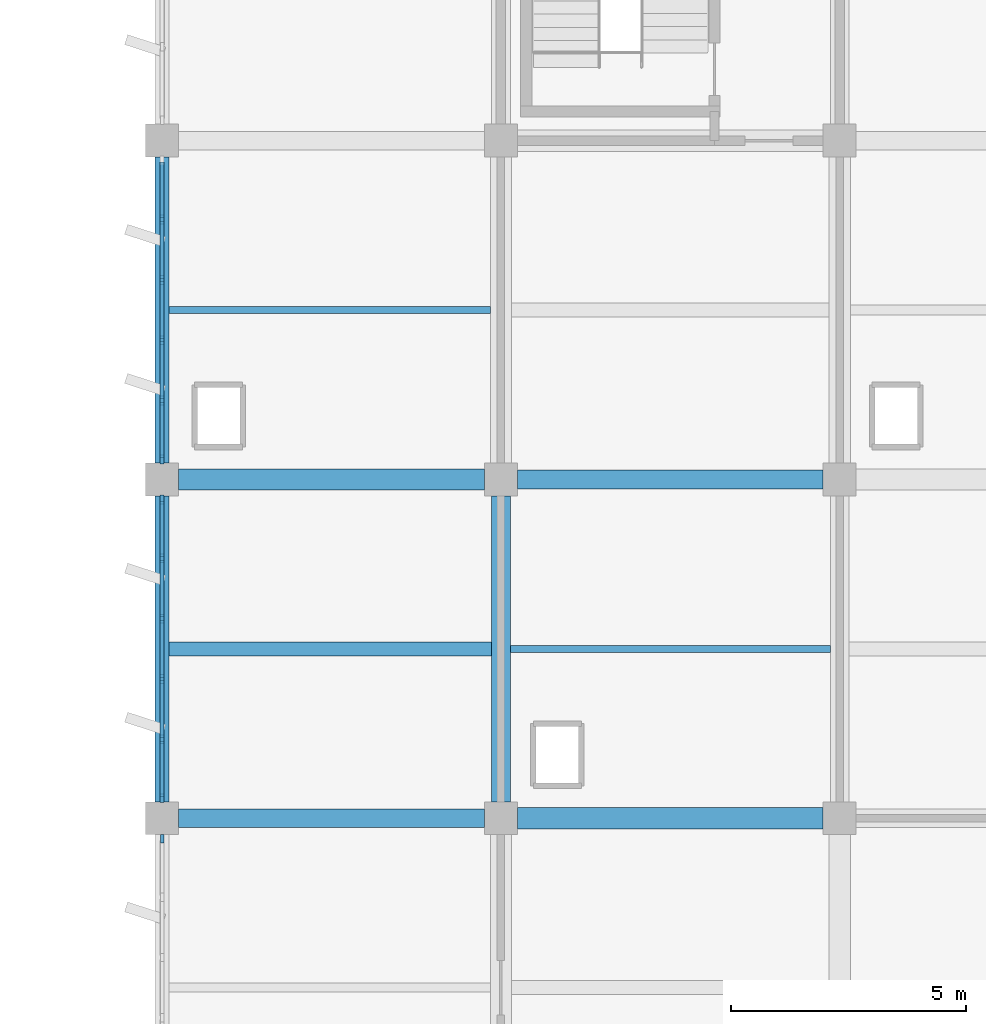
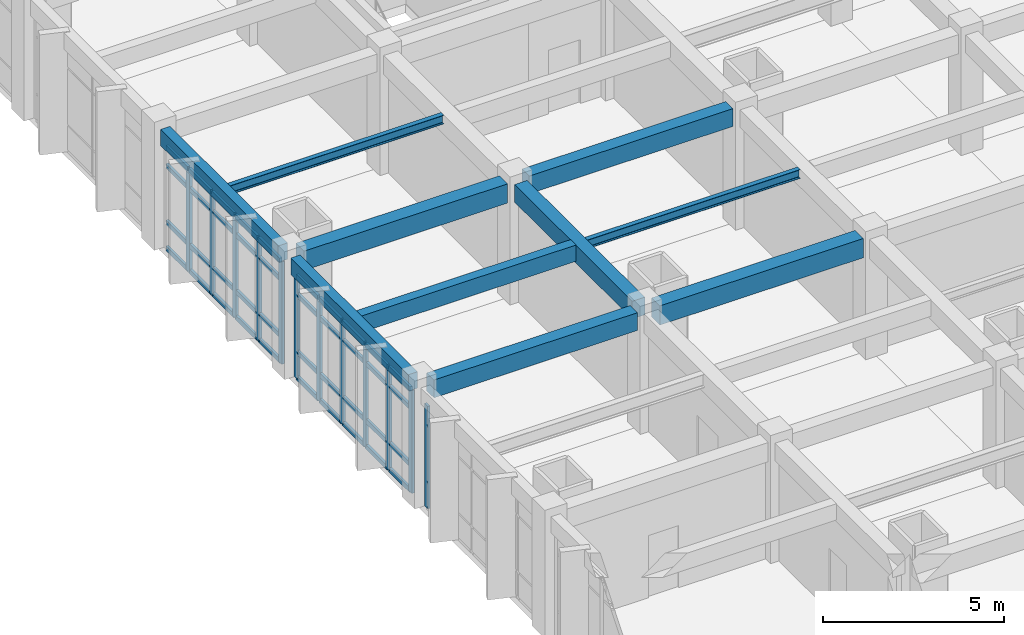
# One storey, part 17 of 70: 54 members, 8 beams, 3 elements without a shape of their own.
"""IFC4 building model written with IfcOpenShell, lengths in metres."""

from ifc_helpers import new_model, si_unit, direction, frame, origin, origin_2d, place, context, subcontext, project, spatial, rectangle, i_section, extrude, material, layer, layer_set, material_profile, profile_set, type_object, element, aggregate, save


model = new_model("IFC4")

# Units and contexts
model_context = context("Model", 3, precision=1e-05, world=origin(), true_north=direction((0.0, 1.0)))
body_context = subcontext(model_context, "Body", "Model", "MODEL_VIEW")
ifc_project = project(units=[si_unit("LENGTHUNIT", "METRE"), si_unit("AREAUNIT", "SQUARE_METRE"), si_unit("VOLUMEUNIT", "CUBIC_METRE"), si_unit("PLANEANGLEUNIT", "RADIAN"), si_unit("MASSUNIT", "GRAM", prefix="KILO")], contexts=[model_context])

# Site, building, storey
site_placement = place(None, origin())
site = spatial("IfcSite", under=ifc_project, at=site_placement, CompositionType="ELEMENT")
building_placement = place(site_placement, origin())
building = spatial("IfcBuilding", under=site, at=building_placement, Name="Kavelor Marine Aquarium", CompositionType="ELEMENT")
storey_placement = place(building_placement, frame((0.0, 0.0, 9.179931640625)))
storey = spatial("IfcBuildingStorey", under=building, at=storey_placement, Name="L02", CompositionType="ELEMENT", Elevation=9.179931640625)

# Beams
ifc_material_1 = material(Name="Concrete C40/50", Category="concrete")
ifc_material_profile_1 = material_profile(ifc_material_1, rectangle(XDim=0.449951171875, YDim=0.64990234375, at=origin_2d()), Name="RC-BM 450x650")
ifc_profile_set_1 = profile_set([ifc_material_profile_1], Name="Concrete C40/50")
beam_type_1 = type_object("IfcBeamType", Name="BM-B3", PredefinedType="BEAM", material=ifc_profile_set_1)
for number, where, z_axis, x_axis, name in (
    (1, (118.75, 89.199951171875, 3.695068359375), (1.0, 0.0, 0.0), (0.0, 1.0, 0.0), "bm:x:L02:L03:16_12"),
    (2, (125.949951171875, 82.0, 3.695068359375), (1.0, 0.0, 0.0), (0.0, 1.0, 0.0), "bm:x:L02:L03:17_11"),
):
    element("IfcBeam", number, at=place(storey_placement, frame(where, z_axis=z_axis, x_axis=x_axis)), inside=storey, type_object=beam_type_1, Name=name, PredefinedType="BEAM", context=body_context, shape_type="SweptSolid", body=[
        extrude(rectangle(XDim=0.449951171875, YDim=0.64990234375, at=origin_2d()), origin(), (0.0, 0.0, 1.0), 6.5),
    ])
ifc_material_2 = material(Name="Concrete C40/50", Category="concrete")
ifc_material_profile_2 = material_profile(ifc_material_2, rectangle(XDim=0.39990234375, YDim=0.60009765625, at=origin_2d()), Name="RC-BM 400x600")
ifc_profile_set_2 = profile_set([ifc_material_profile_2], Name="Concrete C40/50")
beam_type_2 = type_object("IfcBeamType", Name="BM-B4", PredefinedType="BEAM", material=ifc_profile_set_2)
for number, where, z_axis, x_axis, name in (
    (3, (118.75, 82.0, 3.719970703125), (1.0, 0.0, 0.0), (0.0, 1.0, 0.0), "bm:x:L02:L03:16_11"),
    (4, (125.949951171875, 89.199951171875, 3.719970703125), (1.0, 0.0, 0.0), (0.0, 1.0, 0.0), "bm:x:L02:L03:17_12"),
    (5, (125.60009765625, 82.35009765625, 3.719970703125), (0.0, 1.0, 0.0), (-1.0, 0.0, 0.0), "bm:y:L02:L03:17_11"),
):
    element("IfcBeam", number, at=place(storey_placement, frame(where, z_axis=z_axis, x_axis=x_axis)), inside=storey, type_object=beam_type_2, Name=name, PredefinedType="BEAM", context=body_context, shape_type="SweptSolid", body=[
        extrude(rectangle(XDim=0.39990234375, YDim=0.60009765625, at=origin_2d()), origin(), (0.0, 0.0, 1.0), 6.5),
    ])
ifc_material_3 = material(Name="Concrete C40/50", Category="concrete")
ifc_material_profile_3 = material_profile(ifc_material_3, rectangle(XDim=0.300048828125, YDim=0.550048828125, at=origin_2d()), Name="RC-JS 300x550")
ifc_profile_set_3 = profile_set([ifc_material_profile_3], Name="Concrete C40/50")
beam_type_3 = type_object("IfcBeamType", Name="BM-JS2", PredefinedType="JOIST", material=ifc_profile_set_3)
beam_placement = place(storey_placement, frame((118.550048828125, 85.60009765625, 3.76513671875), z_axis=(1.0, 0.0, 0.0), x_axis=(0.0, 1.0, 0.0)))
element("IfcBeam", 6, at=beam_placement, inside=storey, type_object=beam_type_3, Name="js:L02:L03:16_11", PredefinedType="JOIST", context=body_context, shape_type="SweptSolid", body=[
    extrude(rectangle(XDim=0.300048828125, YDim=0.550048828125, at=origin_2d()), origin(), (0.0, 0.0, 1.0), 6.849853515625),
])
ifc_material_4 = material(Name="Concrete C40/50", Category="concrete")
ifc_material_profile_4 = material_profile(ifc_material_4, rectangle(XDim=0.300048828125, YDim=0.550048828125, at=origin_2d()), Name="RC-SP 300x550")
ifc_profile_set_4 = profile_set([ifc_material_profile_4], Name="Concrete C40/50")
beam_type_4 = type_object("IfcBeamType", Name="BM-SP2", PredefinedType="SPANDREL", material=ifc_profile_set_4)
for number, where, z_axis, x_axis, name in (
    (7, (118.39990234375, 82.35009765625, 3.76513671875), (0.0, 1.0, 0.0), (-1.0, 0.0, 0.0), "bm:y:L02:L03:16_11"),
    (8, (118.39990234375, 89.550048828125, 3.7451171875), (0.0, 1.0, 0.0), (-1.0, 0.0, 0.0), "bm:y:L02:L03:16_12"),
):
    element("IfcBeam", number, at=place(storey_placement, frame(where, z_axis=z_axis, x_axis=x_axis)), inside=storey, type_object=beam_type_4, Name=name, PredefinedType="SPANDREL", context=body_context, shape_type="SweptSolid", body=[
        extrude(rectangle(XDim=0.300048828125, YDim=0.550048828125, at=origin_2d()), origin(), (0.0, 0.0, 1.0), 6.5),
    ])

# Curtain wall, member
ifc_material_5 = material(Name="Thermally Broken Aluminium and Low-E Glass", Category="aluminium")
ifc_layer_1 = layer(ifc_material_5, 0.196044921875)
ifc_layer_set_1 = layer_set([ifc_layer_1], Name="CW-SYS7")
curtain_wall_type_1 = type_object("IfcCurtainWallType", Name="CW-SYS7", PredefinedType="USERDEFINED", material=ifc_layer_set_1)
curtain_wall_1_placement = place(storey_placement, origin())
curtain_wall_1 = element("IfcCurtainWall", 9, at=curtain_wall_1_placement, inside=storey, type_object=curtain_wall_type_1, Name="cw:y:L02:16_10", ObjectType="Curtain Wall", PredefinedType="USERDEFINED")
ifc_material_6 = material(Name="Anodised Aluminium Alloy 6063-T6", Category="aluminium")
ifc_material_profile_5 = material_profile(ifc_material_6, rectangle(XDim=0.074951171875, YDim=0.179931640625, at=origin_2d()), Name="CW-MUL 75x180")
ifc_profile_set_5 = profile_set([ifc_material_profile_5], Name="Anodised Aluminium Alloy 6063-T6")
member_type_1 = type_object("IfcMemberType", Name="CWM-1", PredefinedType="MULLION", material=ifc_profile_set_5)
member_1_placement = place(storey_placement, frame((118.39990234375, 81.5673828125, 0.0), z_axis=(0.0, 0.0, 1.0), x_axis=(1.0, 0.0, 0.0)))
member_1 = element("IfcMember", 10, at=member_1_placement, type_object=member_type_1, Name="CW07 mullion 1", PredefinedType="MULLION", context=body_context, shape_type="SweptSolid", body=[
    extrude(rectangle(XDim=0.074951171875, YDim=0.179931640625, at=origin_2d()), origin(), (0.0, 0.0, 1.0), 3.4599609375),
])
aggregate(curtain_wall_1, [member_1])

# Curtain wall, members
ifc_material_7 = material(Name="Thermally Broken Aluminium and Low-E Glass", Category="aluminium")
ifc_layer_2 = layer(ifc_material_7, 0.2041015625)
ifc_layer_set_2 = layer_set([ifc_layer_2], Name="CW-SYS8")
curtain_wall_type_2 = type_object("IfcCurtainWallType", Name="CW-SYS8", PredefinedType="USERDEFINED", material=ifc_layer_set_2)
curtain_wall_2_placement = place(storey_placement, origin())
curtain_wall_2 = element("IfcCurtainWall", 11, at=curtain_wall_2_placement, inside=storey, type_object=curtain_wall_type_2, Name="cw:y:L02:16_11", ObjectType="Curtain Wall", PredefinedType="USERDEFINED")
ifc_material_8 = material(Name="Anodised Aluminium Alloy 6063-T6", Category="aluminium")
ifc_material_profile_6 = material_profile(ifc_material_8, rectangle(XDim=0.080078125, YDim=0.18505859375, at=origin_2d()), Name="CW-MUL 80x185")
ifc_profile_set_6 = profile_set([ifc_material_profile_6], Name="Anodised Aluminium Alloy 6063-T6")
member_type_2 = type_object("IfcMemberType", Name="CWM-2", PredefinedType="MULLION", material=ifc_profile_set_6)
member_2_placement = place(storey_placement, frame((118.39990234375, 88.7724609375, 0.0), z_axis=(0.0, 0.0, 1.0), x_axis=(1.0, 0.0, 0.0)))
member_2 = element("IfcMember", 12, at=member_2_placement, type_object=member_type_2, Name="CW08 mullion 1", PredefinedType="MULLION", context=body_context, shape_type="SweptSolid", body=[
    extrude(rectangle(XDim=0.080078125, YDim=0.18505859375, at=origin_2d()), origin(), (0.0, 0.0, 1.0), 3.47998046875),
])
member_3_placement = place(storey_placement, frame((118.39990234375, 87.52294921875, 0.0), z_axis=(0.0, 0.0, 1.0), x_axis=(1.0, 0.0, 0.0)))
member_3 = element("IfcMember", 13, at=member_3_placement, type_object=member_type_2, Name="CW08 mullion 2", PredefinedType="MULLION", context=body_context, shape_type="SweptSolid", body=[
    extrude(rectangle(XDim=0.080078125, YDim=0.18505859375, at=origin_2d()), origin(), (0.0, 0.0, 1.0), 3.47998046875),
])
member_4_placement = place(storey_placement, frame((118.39990234375, 86.240966796875, 0.0), z_axis=(0.0, 0.0, 1.0), x_axis=(1.0, 0.0, 0.0)))
member_4 = element("IfcMember", 14, at=member_4_placement, type_object=member_type_2, Name="CW08 mullion 3", PredefinedType="MULLION", context=body_context, shape_type="SweptSolid", body=[
    extrude(rectangle(XDim=0.080078125, YDim=0.18505859375, at=origin_2d()), origin(), (0.0, 0.0, 1.0), 3.47998046875),
])
member_5_placement = place(storey_placement, frame((118.39990234375, 84.958984375, 0.0), z_axis=(0.0, 0.0, 1.0), x_axis=(1.0, 0.0, 0.0)))
member_5 = element("IfcMember", 15, at=member_5_placement, type_object=member_type_2, Name="CW08 mullion 4", PredefinedType="MULLION", context=body_context, shape_type="SweptSolid", body=[
    extrude(rectangle(XDim=0.080078125, YDim=0.18505859375, at=origin_2d()), origin(), (0.0, 0.0, 1.0), 3.47998046875),
])
member_6_placement = place(storey_placement, frame((118.39990234375, 83.677001953125, 0.0), z_axis=(0.0, 0.0, 1.0), x_axis=(1.0, 0.0, 0.0)))
member_6 = element("IfcMember", 16, at=member_6_placement, type_object=member_type_2, Name="CW08 mullion 5", PredefinedType="MULLION", context=body_context, shape_type="SweptSolid", body=[
    extrude(rectangle(XDim=0.080078125, YDim=0.18505859375, at=origin_2d()), origin(), (0.0, 0.0, 1.0), 3.47998046875),
])
member_7_placement = place(storey_placement, frame((118.39990234375, 82.427490234375, 0.0), z_axis=(0.0, 0.0, 1.0), x_axis=(1.0, 0.0, 0.0)))
member_7 = element("IfcMember", 17, at=member_7_placement, type_object=member_type_2, Name="CW08 mullion 6", PredefinedType="MULLION", context=body_context, shape_type="SweptSolid", body=[
    extrude(rectangle(XDim=0.080078125, YDim=0.18505859375, at=origin_2d()), origin(), (0.0, 0.0, 1.0), 3.47998046875),
])

ifc_material_9 = material(Name="Thermally Broken Aluminium and Low-E Glass", Category="aluminium")
ifc_layer_3 = layer(ifc_material_9, 0.2119140625)
ifc_layer_set_3 = layer_set([ifc_layer_3], Name="CW-SYS9")
curtain_wall_type_3 = type_object("IfcCurtainWallType", Name="CW-SYS9", PredefinedType="USERDEFINED", material=ifc_layer_set_3)
curtain_wall_3_placement = place(storey_placement, origin())
curtain_wall_3 = element("IfcCurtainWall", 18, at=curtain_wall_3_placement, inside=storey, type_object=curtain_wall_type_3, Name="cw:y:L02:16_12", ObjectType="Curtain Wall", PredefinedType="USERDEFINED")
ifc_material_10 = material(Name="Anodised Aluminium Alloy 6063-T6", Category="aluminium")
ifc_material_profile_7 = material_profile(ifc_material_10, rectangle(XDim=0.0849609375, YDim=0.18994140625, at=origin_2d()), Name="CW-MUL 85x190")
ifc_profile_set_7 = profile_set([ifc_material_profile_7], Name="Anodised Aluminium Alloy 6063-T6")
member_type_3 = type_object("IfcMemberType", Name="CWM-3", PredefinedType="MULLION", material=ifc_profile_set_7)
member_8_placement = place(storey_placement, frame((118.39990234375, 94.722900390625, 0.0), z_axis=(0.0, 0.0, 1.0), x_axis=(1.0, 0.0, 0.0)))
member_8 = element("IfcMember", 19, at=member_8_placement, type_object=member_type_3, Name="CW09 mullion 2", PredefinedType="MULLION", context=body_context, shape_type="SweptSolid", body=[
    extrude(rectangle(XDim=0.0849609375, YDim=0.18994140625, at=origin_2d()), origin(), (0.0, 0.0, 1.0), 3.4599609375),
])
member_9_placement = place(storey_placement, frame((118.39990234375, 93.44091796875, 0.0), z_axis=(0.0, 0.0, 1.0), x_axis=(1.0, 0.0, 0.0)))
member_9 = element("IfcMember", 20, at=member_9_placement, type_object=member_type_3, Name="CW09 mullion 3", PredefinedType="MULLION", context=body_context, shape_type="SweptSolid", body=[
    extrude(rectangle(XDim=0.0849609375, YDim=0.18994140625, at=origin_2d()), origin(), (0.0, 0.0, 1.0), 3.4599609375),
])
member_10_placement = place(storey_placement, frame((118.39990234375, 92.158935546875, 0.0), z_axis=(0.0, 0.0, 1.0), x_axis=(1.0, 0.0, 0.0)))
member_10 = element("IfcMember", 21, at=member_10_placement, type_object=member_type_3, Name="CW09 mullion 4", PredefinedType="MULLION", context=body_context, shape_type="SweptSolid", body=[
    extrude(rectangle(XDim=0.0849609375, YDim=0.18994140625, at=origin_2d()), origin(), (0.0, 0.0, 1.0), 3.4599609375),
])
member_11_placement = place(storey_placement, frame((118.39990234375, 90.876953125, 0.0), z_axis=(0.0, 0.0, 1.0), x_axis=(1.0, 0.0, 0.0)))
member_11 = element("IfcMember", 22, at=member_11_placement, type_object=member_type_3, Name="CW09 mullion 5", PredefinedType="MULLION", context=body_context, shape_type="SweptSolid", body=[
    extrude(rectangle(XDim=0.0849609375, YDim=0.18994140625, at=origin_2d()), origin(), (0.0, 0.0, 1.0), 3.4599609375),
])
member_12_placement = place(storey_placement, frame((118.39990234375, 89.625, 0.0), z_axis=(0.0, 0.0, 1.0), x_axis=(1.0, 0.0, 0.0)))
member_12 = element("IfcMember", 23, at=member_12_placement, type_object=member_type_3, Name="CW09 mullion 6", PredefinedType="MULLION", context=body_context, shape_type="SweptSolid", body=[
    extrude(rectangle(XDim=0.0849609375, YDim=0.18994140625, at=origin_2d()), origin(), (0.0, 0.0, 1.0), 3.4599609375),
])

# Member
ifc_material_11 = material(Name="Anodised Aluminium Alloy 6063-T6", Category="aluminium")
ifc_material_profile_8 = material_profile(ifc_material_11, rectangle(XDim=0.080078125, YDim=0.155029296875, at=origin_2d()), Name="CW-TRN 80x155")
ifc_profile_set_8 = profile_set([ifc_material_profile_8], Name="Anodised Aluminium Alloy 6063-T6")
member_type_4 = type_object("IfcMemberType", Name="CWT-2", PredefinedType="USERDEFINED", material=ifc_profile_set_8)
member_13_placement = place(storey_placement, frame((118.39990234375, 88.739990234375, 0.032470703125), z_axis=(0.0, -1.0, 0.0), x_axis=(1.0, 0.0, 0.0)))
member_13 = element("IfcMember", 24, at=member_13_placement, type_object=member_type_4, Name="CW08 transom 1.1", ObjectType="TRANSOM", PredefinedType="USERDEFINED", context=body_context, shape_type="SweptSolid", body=[
    extrude(rectangle(XDim=0.080078125, YDim=0.155029296875, at=origin_2d()), origin(), (0.0, 0.0, 1.0), 1.1845703125),
])

member_14_placement = place(storey_placement, frame((118.39990234375, 88.739990234375, 0.900146484375), z_axis=(0.0, -1.0, 0.0), x_axis=(1.0, 0.0, 0.0)))
member_14 = element("IfcMember", 25, at=member_14_placement, type_object=member_type_4, Name="CW08 transom 1.2", ObjectType="TRANSOM", PredefinedType="USERDEFINED", context=body_context, shape_type="SweptSolid", body=[
    extrude(rectangle(XDim=0.080078125, YDim=0.155029296875, at=origin_2d()), origin(), (0.0, 0.0, 1.0), 1.1845703125),
])

member_15_placement = place(storey_placement, frame((118.39990234375, 88.739990234375, 2.830078125), z_axis=(0.0, -1.0, 0.0), x_axis=(1.0, 0.0, 0.0)))
member_15 = element("IfcMember", 26, at=member_15_placement, type_object=member_type_4, Name="CW08 transom 1.3", ObjectType="TRANSOM", PredefinedType="USERDEFINED", context=body_context, shape_type="SweptSolid", body=[
    extrude(rectangle(XDim=0.080078125, YDim=0.155029296875, at=origin_2d()), origin(), (0.0, 0.0, 1.0), 1.1845703125),
])

member_16_placement = place(storey_placement, frame((118.39990234375, 88.739990234375, 3.447509765625), z_axis=(0.0, -1.0, 0.0), x_axis=(1.0, 0.0, 0.0)))
member_16 = element("IfcMember", 27, at=member_16_placement, type_object=member_type_4, Name="CW08 transom 1.4", ObjectType="TRANSOM", PredefinedType="USERDEFINED", context=body_context, shape_type="SweptSolid", body=[
    extrude(rectangle(XDim=0.080078125, YDim=0.155029296875, at=origin_2d()), origin(), (0.0, 0.0, 1.0), 1.1845703125),
])

member_17_placement = place(storey_placement, frame((118.39990234375, 87.490478515625, 0.032470703125), z_axis=(0.0, -1.0, 0.0), x_axis=(1.0, 0.0, 0.0)))
member_17 = element("IfcMember", 28, at=member_17_placement, type_object=member_type_4, Name="CW08 transom 2.1", ObjectType="TRANSOM", PredefinedType="USERDEFINED", context=body_context, shape_type="SweptSolid", body=[
    extrude(rectangle(XDim=0.080078125, YDim=0.155029296875, at=origin_2d()), origin(), (0.0, 0.0, 1.0), 1.217041015625),
])

member_18_placement = place(storey_placement, frame((118.39990234375, 87.490478515625, 0.900146484375), z_axis=(0.0, -1.0, 0.0), x_axis=(1.0, 0.0, 0.0)))
member_18 = element("IfcMember", 29, at=member_18_placement, type_object=member_type_4, Name="CW08 transom 2.2", ObjectType="TRANSOM", PredefinedType="USERDEFINED", context=body_context, shape_type="SweptSolid", body=[
    extrude(rectangle(XDim=0.080078125, YDim=0.155029296875, at=origin_2d()), origin(), (0.0, 0.0, 1.0), 1.217041015625),
])

member_19_placement = place(storey_placement, frame((118.39990234375, 87.490478515625, 2.830078125), z_axis=(0.0, -1.0, 0.0), x_axis=(1.0, 0.0, 0.0)))
member_19 = element("IfcMember", 30, at=member_19_placement, type_object=member_type_4, Name="CW08 transom 2.3", ObjectType="TRANSOM", PredefinedType="USERDEFINED", context=body_context, shape_type="SweptSolid", body=[
    extrude(rectangle(XDim=0.080078125, YDim=0.155029296875, at=origin_2d()), origin(), (0.0, 0.0, 1.0), 1.217041015625),
])

member_20_placement = place(storey_placement, frame((118.39990234375, 87.490478515625, 3.447509765625), z_axis=(0.0, -1.0, 0.0), x_axis=(1.0, 0.0, 0.0)))
member_20 = element("IfcMember", 31, at=member_20_placement, type_object=member_type_4, Name="CW08 transom 2.4", ObjectType="TRANSOM", PredefinedType="USERDEFINED", context=body_context, shape_type="SweptSolid", body=[
    extrude(rectangle(XDim=0.080078125, YDim=0.155029296875, at=origin_2d()), origin(), (0.0, 0.0, 1.0), 1.217041015625),
])

member_21_placement = place(storey_placement, frame((118.39990234375, 86.20849609375, 0.032470703125), z_axis=(0.0, -1.0, 0.0), x_axis=(1.0, 0.0, 0.0)))
member_21 = element("IfcMember", 32, at=member_21_placement, type_object=member_type_4, Name="CW08 transom 3.1", ObjectType="TRANSOM", PredefinedType="USERDEFINED", context=body_context, shape_type="SweptSolid", body=[
    extrude(rectangle(XDim=0.080078125, YDim=0.155029296875, at=origin_2d()), origin(), (0.0, 0.0, 1.0), 1.217041015625),
])

member_22_placement = place(storey_placement, frame((118.39990234375, 86.20849609375, 0.900146484375), z_axis=(0.0, -1.0, 0.0), x_axis=(1.0, 0.0, 0.0)))
member_22 = element("IfcMember", 33, at=member_22_placement, type_object=member_type_4, Name="CW08 transom 3.2", ObjectType="TRANSOM", PredefinedType="USERDEFINED", context=body_context, shape_type="SweptSolid", body=[
    extrude(rectangle(XDim=0.080078125, YDim=0.155029296875, at=origin_2d()), origin(), (0.0, 0.0, 1.0), 1.217041015625),
])

member_23_placement = place(storey_placement, frame((118.39990234375, 86.20849609375, 2.830078125), z_axis=(0.0, -1.0, 0.0), x_axis=(1.0, 0.0, 0.0)))
member_23 = element("IfcMember", 34, at=member_23_placement, type_object=member_type_4, Name="CW08 transom 3.3", ObjectType="TRANSOM", PredefinedType="USERDEFINED", context=body_context, shape_type="SweptSolid", body=[
    extrude(rectangle(XDim=0.080078125, YDim=0.155029296875, at=origin_2d()), origin(), (0.0, 0.0, 1.0), 1.217041015625),
])

member_24_placement = place(storey_placement, frame((118.39990234375, 86.20849609375, 3.447509765625), z_axis=(0.0, -1.0, 0.0), x_axis=(1.0, 0.0, 0.0)))
member_24 = element("IfcMember", 35, at=member_24_placement, type_object=member_type_4, Name="CW08 transom 3.4", ObjectType="TRANSOM", PredefinedType="USERDEFINED", context=body_context, shape_type="SweptSolid", body=[
    extrude(rectangle(XDim=0.080078125, YDim=0.155029296875, at=origin_2d()), origin(), (0.0, 0.0, 1.0), 1.217041015625),
])

member_25_placement = place(storey_placement, frame((118.39990234375, 84.926513671875, 0.032470703125), z_axis=(0.0, -1.0, 0.0), x_axis=(1.0, 0.0, 0.0)))
member_25 = element("IfcMember", 36, at=member_25_placement, type_object=member_type_4, Name="CW08 transom 4.1", ObjectType="TRANSOM", PredefinedType="USERDEFINED", context=body_context, shape_type="SweptSolid", body=[
    extrude(rectangle(XDim=0.080078125, YDim=0.155029296875, at=origin_2d()), origin(), (0.0, 0.0, 1.0), 1.217041015625),
])

member_26_placement = place(storey_placement, frame((118.39990234375, 84.926513671875, 0.900146484375), z_axis=(0.0, -1.0, 0.0), x_axis=(1.0, 0.0, 0.0)))
member_26 = element("IfcMember", 37, at=member_26_placement, type_object=member_type_4, Name="CW08 transom 4.2", ObjectType="TRANSOM", PredefinedType="USERDEFINED", context=body_context, shape_type="SweptSolid", body=[
    extrude(rectangle(XDim=0.080078125, YDim=0.155029296875, at=origin_2d()), origin(), (0.0, 0.0, 1.0), 1.217041015625),
])

member_27_placement = place(storey_placement, frame((118.39990234375, 84.926513671875, 2.830078125), z_axis=(0.0, -1.0, 0.0), x_axis=(1.0, 0.0, 0.0)))
member_27 = element("IfcMember", 38, at=member_27_placement, type_object=member_type_4, Name="CW08 transom 4.3", ObjectType="TRANSOM", PredefinedType="USERDEFINED", context=body_context, shape_type="SweptSolid", body=[
    extrude(rectangle(XDim=0.080078125, YDim=0.155029296875, at=origin_2d()), origin(), (0.0, 0.0, 1.0), 1.217041015625),
])

member_28_placement = place(storey_placement, frame((118.39990234375, 84.926513671875, 3.447509765625), z_axis=(0.0, -1.0, 0.0), x_axis=(1.0, 0.0, 0.0)))
member_28 = element("IfcMember", 39, at=member_28_placement, type_object=member_type_4, Name="CW08 transom 4.4", ObjectType="TRANSOM", PredefinedType="USERDEFINED", context=body_context, shape_type="SweptSolid", body=[
    extrude(rectangle(XDim=0.080078125, YDim=0.155029296875, at=origin_2d()), origin(), (0.0, 0.0, 1.0), 1.217041015625),
])

member_29_placement = place(storey_placement, frame((118.39990234375, 83.64453125, 0.032470703125), z_axis=(0.0, -1.0, 0.0), x_axis=(1.0, 0.0, 0.0)))
member_29 = element("IfcMember", 40, at=member_29_placement, type_object=member_type_4, Name="CW08 transom 5.1", ObjectType="TRANSOM", PredefinedType="USERDEFINED", context=body_context, shape_type="SweptSolid", body=[
    extrude(rectangle(XDim=0.080078125, YDim=0.155029296875, at=origin_2d()), origin(), (0.0, 0.0, 1.0), 1.1845703125),
])

member_30_placement = place(storey_placement, frame((118.39990234375, 83.64453125, 0.900146484375), z_axis=(0.0, -1.0, 0.0), x_axis=(1.0, 0.0, 0.0)))
member_30 = element("IfcMember", 41, at=member_30_placement, type_object=member_type_4, Name="CW08 transom 5.2", ObjectType="TRANSOM", PredefinedType="USERDEFINED", context=body_context, shape_type="SweptSolid", body=[
    extrude(rectangle(XDim=0.080078125, YDim=0.155029296875, at=origin_2d()), origin(), (0.0, 0.0, 1.0), 1.1845703125),
])

member_31_placement = place(storey_placement, frame((118.39990234375, 83.64453125, 2.830078125), z_axis=(0.0, -1.0, 0.0), x_axis=(1.0, 0.0, 0.0)))
member_31 = element("IfcMember", 42, at=member_31_placement, type_object=member_type_4, Name="CW08 transom 5.3", ObjectType="TRANSOM", PredefinedType="USERDEFINED", context=body_context, shape_type="SweptSolid", body=[
    extrude(rectangle(XDim=0.080078125, YDim=0.155029296875, at=origin_2d()), origin(), (0.0, 0.0, 1.0), 1.1845703125),
])

member_32_placement = place(storey_placement, frame((118.39990234375, 83.64453125, 3.447509765625), z_axis=(0.0, -1.0, 0.0), x_axis=(1.0, 0.0, 0.0)))
member_32 = element("IfcMember", 43, at=member_32_placement, type_object=member_type_4, Name="CW08 transom 5.4", ObjectType="TRANSOM", PredefinedType="USERDEFINED", context=body_context, shape_type="SweptSolid", body=[
    extrude(rectangle(XDim=0.080078125, YDim=0.155029296875, at=origin_2d()), origin(), (0.0, 0.0, 1.0), 1.1845703125),
])

aggregate(curtain_wall_2, [member_2, member_3, member_4, member_5, member_6, member_7, member_13, member_14, member_15, member_16, member_17, member_18, member_19, member_20, member_21, member_22, member_23, member_24, member_25, member_26, member_27, member_28, member_29, member_30, member_31, member_32])

member_33_placement = place(storey_placement, frame((118.39990234375, 95.945068359375, 0.032470703125), z_axis=(0.0, -1.0, 0.0), x_axis=(1.0, 0.0, 0.0)))
member_33 = element("IfcMember", 44, at=member_33_placement, type_object=member_type_4, Name="CW09 transom 1.1", ObjectType="TRANSOM", PredefinedType="USERDEFINED", context=body_context, shape_type="SweptSolid", body=[
    extrude(rectangle(XDim=0.080078125, YDim=0.155029296875, at=origin_2d()), origin(), (0.0, 0.0, 1.0), 1.192138671875),
])

member_34_placement = place(storey_placement, frame((118.39990234375, 95.945068359375, 0.900146484375), z_axis=(0.0, -1.0, 0.0), x_axis=(1.0, 0.0, 0.0)))
member_34 = element("IfcMember", 45, at=member_34_placement, type_object=member_type_4, Name="CW09 transom 1.2", ObjectType="TRANSOM", PredefinedType="USERDEFINED", context=body_context, shape_type="SweptSolid", body=[
    extrude(rectangle(XDim=0.080078125, YDim=0.155029296875, at=origin_2d()), origin(), (0.0, 0.0, 1.0), 1.192138671875),
])

member_35_placement = place(storey_placement, frame((118.39990234375, 95.945068359375, 2.81005859375), z_axis=(0.0, -1.0, 0.0), x_axis=(1.0, 0.0, 0.0)))
member_35 = element("IfcMember", 46, at=member_35_placement, type_object=member_type_4, Name="CW09 transom 1.3", ObjectType="TRANSOM", PredefinedType="USERDEFINED", context=body_context, shape_type="SweptSolid", body=[
    extrude(rectangle(XDim=0.080078125, YDim=0.155029296875, at=origin_2d()), origin(), (0.0, 0.0, 1.0), 1.192138671875),
])

member_36_placement = place(storey_placement, frame((118.39990234375, 95.945068359375, 3.427490234375), z_axis=(0.0, -1.0, 0.0), x_axis=(1.0, 0.0, 0.0)))
member_36 = element("IfcMember", 47, at=member_36_placement, type_object=member_type_4, Name="CW09 transom 1.4", ObjectType="TRANSOM", PredefinedType="USERDEFINED", context=body_context, shape_type="SweptSolid", body=[
    extrude(rectangle(XDim=0.080078125, YDim=0.155029296875, at=origin_2d()), origin(), (0.0, 0.0, 1.0), 1.192138671875),
])

member_37_placement = place(storey_placement, frame((118.39990234375, 94.693115234375, 0.032470703125), z_axis=(0.0, -1.0, 0.0), x_axis=(1.0, 0.0, 0.0)))
member_37 = element("IfcMember", 48, at=member_37_placement, type_object=member_type_4, Name="CW09 transom 2.1", ObjectType="TRANSOM", PredefinedType="USERDEFINED", context=body_context, shape_type="SweptSolid", body=[
    extrude(rectangle(XDim=0.080078125, YDim=0.155029296875, at=origin_2d()), origin(), (0.0, 0.0, 1.0), 1.22216796875),
])

member_38_placement = place(storey_placement, frame((118.39990234375, 94.693115234375, 0.900146484375), z_axis=(0.0, -1.0, 0.0), x_axis=(1.0, 0.0, 0.0)))
member_38 = element("IfcMember", 49, at=member_38_placement, type_object=member_type_4, Name="CW09 transom 2.2", ObjectType="TRANSOM", PredefinedType="USERDEFINED", context=body_context, shape_type="SweptSolid", body=[
    extrude(rectangle(XDim=0.080078125, YDim=0.155029296875, at=origin_2d()), origin(), (0.0, 0.0, 1.0), 1.22216796875),
])

member_39_placement = place(storey_placement, frame((118.39990234375, 94.693115234375, 2.81005859375), z_axis=(0.0, -1.0, 0.0), x_axis=(1.0, 0.0, 0.0)))
member_39 = element("IfcMember", 50, at=member_39_placement, type_object=member_type_4, Name="CW09 transom 2.3", ObjectType="TRANSOM", PredefinedType="USERDEFINED", context=body_context, shape_type="SweptSolid", body=[
    extrude(rectangle(XDim=0.080078125, YDim=0.155029296875, at=origin_2d()), origin(), (0.0, 0.0, 1.0), 1.22216796875),
])

member_40_placement = place(storey_placement, frame((118.39990234375, 94.693115234375, 3.427490234375), z_axis=(0.0, -1.0, 0.0), x_axis=(1.0, 0.0, 0.0)))
member_40 = element("IfcMember", 51, at=member_40_placement, type_object=member_type_4, Name="CW09 transom 2.4", ObjectType="TRANSOM", PredefinedType="USERDEFINED", context=body_context, shape_type="SweptSolid", body=[
    extrude(rectangle(XDim=0.080078125, YDim=0.155029296875, at=origin_2d()), origin(), (0.0, 0.0, 1.0), 1.22216796875),
])

member_41_placement = place(storey_placement, frame((118.39990234375, 93.410888671875, 0.032470703125), z_axis=(0.0, -1.0, 0.0), x_axis=(1.0, 0.0, 0.0)))
member_41 = element("IfcMember", 52, at=member_41_placement, type_object=member_type_4, Name="CW09 transom 3.1", ObjectType="TRANSOM", PredefinedType="USERDEFINED", context=body_context, shape_type="SweptSolid", body=[
    extrude(rectangle(XDim=0.080078125, YDim=0.155029296875, at=origin_2d()), origin(), (0.0, 0.0, 1.0), 1.221923828125),
])

member_42_placement = place(storey_placement, frame((118.39990234375, 93.410888671875, 0.900146484375), z_axis=(0.0, -1.0, 0.0), x_axis=(1.0, 0.0, 0.0)))
member_42 = element("IfcMember", 53, at=member_42_placement, type_object=member_type_4, Name="CW09 transom 3.2", ObjectType="TRANSOM", PredefinedType="USERDEFINED", context=body_context, shape_type="SweptSolid", body=[
    extrude(rectangle(XDim=0.080078125, YDim=0.155029296875, at=origin_2d()), origin(), (0.0, 0.0, 1.0), 1.221923828125),
])

member_43_placement = place(storey_placement, frame((118.39990234375, 93.410888671875, 2.81005859375), z_axis=(0.0, -1.0, 0.0), x_axis=(1.0, 0.0, 0.0)))
member_43 = element("IfcMember", 54, at=member_43_placement, type_object=member_type_4, Name="CW09 transom 3.3", ObjectType="TRANSOM", PredefinedType="USERDEFINED", context=body_context, shape_type="SweptSolid", body=[
    extrude(rectangle(XDim=0.080078125, YDim=0.155029296875, at=origin_2d()), origin(), (0.0, 0.0, 1.0), 1.221923828125),
])

member_44_placement = place(storey_placement, frame((118.39990234375, 93.410888671875, 3.427490234375), z_axis=(0.0, -1.0, 0.0), x_axis=(1.0, 0.0, 0.0)))
member_44 = element("IfcMember", 55, at=member_44_placement, type_object=member_type_4, Name="CW09 transom 3.4", ObjectType="TRANSOM", PredefinedType="USERDEFINED", context=body_context, shape_type="SweptSolid", body=[
    extrude(rectangle(XDim=0.080078125, YDim=0.155029296875, at=origin_2d()), origin(), (0.0, 0.0, 1.0), 1.221923828125),
])

member_45_placement = place(storey_placement, frame((118.39990234375, 92.12890625, 0.032470703125), z_axis=(0.0, -1.0, 0.0), x_axis=(1.0, 0.0, 0.0)))
member_45 = element("IfcMember", 56, at=member_45_placement, type_object=member_type_4, Name="CW09 transom 4.1", ObjectType="TRANSOM", PredefinedType="USERDEFINED", context=body_context, shape_type="SweptSolid", body=[
    extrude(rectangle(XDim=0.080078125, YDim=0.155029296875, at=origin_2d()), origin(), (0.0, 0.0, 1.0), 1.221923828125),
])

member_46_placement = place(storey_placement, frame((118.39990234375, 92.12890625, 0.900146484375), z_axis=(0.0, -1.0, 0.0), x_axis=(1.0, 0.0, 0.0)))
member_46 = element("IfcMember", 57, at=member_46_placement, type_object=member_type_4, Name="CW09 transom 4.2", ObjectType="TRANSOM", PredefinedType="USERDEFINED", context=body_context, shape_type="SweptSolid", body=[
    extrude(rectangle(XDim=0.080078125, YDim=0.155029296875, at=origin_2d()), origin(), (0.0, 0.0, 1.0), 1.221923828125),
])

member_47_placement = place(storey_placement, frame((118.39990234375, 92.12890625, 2.81005859375), z_axis=(0.0, -1.0, 0.0), x_axis=(1.0, 0.0, 0.0)))
member_47 = element("IfcMember", 58, at=member_47_placement, type_object=member_type_4, Name="CW09 transom 4.3", ObjectType="TRANSOM", PredefinedType="USERDEFINED", context=body_context, shape_type="SweptSolid", body=[
    extrude(rectangle(XDim=0.080078125, YDim=0.155029296875, at=origin_2d()), origin(), (0.0, 0.0, 1.0), 1.221923828125),
])

member_48_placement = place(storey_placement, frame((118.39990234375, 92.12890625, 3.427490234375), z_axis=(0.0, -1.0, 0.0), x_axis=(1.0, 0.0, 0.0)))
member_48 = element("IfcMember", 59, at=member_48_placement, type_object=member_type_4, Name="CW09 transom 4.4", ObjectType="TRANSOM", PredefinedType="USERDEFINED", context=body_context, shape_type="SweptSolid", body=[
    extrude(rectangle(XDim=0.080078125, YDim=0.155029296875, at=origin_2d()), origin(), (0.0, 0.0, 1.0), 1.221923828125),
])

member_49_placement = place(storey_placement, frame((118.39990234375, 90.846923828125, 0.032470703125), z_axis=(0.0, -1.0, 0.0), x_axis=(1.0, 0.0, 0.0)))
member_49 = element("IfcMember", 60, at=member_49_placement, type_object=member_type_4, Name="CW09 transom 5.1", ObjectType="TRANSOM", PredefinedType="USERDEFINED", context=body_context, shape_type="SweptSolid", body=[
    extrude(rectangle(XDim=0.080078125, YDim=0.155029296875, at=origin_2d()), origin(), (0.0, 0.0, 1.0), 1.19189453125),
])

member_50_placement = place(storey_placement, frame((118.39990234375, 90.846923828125, 0.900146484375), z_axis=(0.0, -1.0, 0.0), x_axis=(1.0, 0.0, 0.0)))
member_50 = element("IfcMember", 61, at=member_50_placement, type_object=member_type_4, Name="CW09 transom 5.2", ObjectType="TRANSOM", PredefinedType="USERDEFINED", context=body_context, shape_type="SweptSolid", body=[
    extrude(rectangle(XDim=0.080078125, YDim=0.155029296875, at=origin_2d()), origin(), (0.0, 0.0, 1.0), 1.19189453125),
])

member_51_placement = place(storey_placement, frame((118.39990234375, 90.846923828125, 2.81005859375), z_axis=(0.0, -1.0, 0.0), x_axis=(1.0, 0.0, 0.0)))
member_51 = element("IfcMember", 62, at=member_51_placement, type_object=member_type_4, Name="CW09 transom 5.3", ObjectType="TRANSOM", PredefinedType="USERDEFINED", context=body_context, shape_type="SweptSolid", body=[
    extrude(rectangle(XDim=0.080078125, YDim=0.155029296875, at=origin_2d()), origin(), (0.0, 0.0, 1.0), 1.19189453125),
])

member_52_placement = place(storey_placement, frame((118.39990234375, 90.846923828125, 3.427490234375), z_axis=(0.0, -1.0, 0.0), x_axis=(1.0, 0.0, 0.0)))
member_52 = element("IfcMember", 63, at=member_52_placement, type_object=member_type_4, Name="CW09 transom 5.4", ObjectType="TRANSOM", PredefinedType="USERDEFINED", context=body_context, shape_type="SweptSolid", body=[
    extrude(rectangle(XDim=0.080078125, YDim=0.155029296875, at=origin_2d()), origin(), (0.0, 0.0, 1.0), 1.19189453125),
])

aggregate(curtain_wall_3, [member_8, member_9, member_10, member_11, member_12, member_33, member_34, member_35, member_36, member_37, member_38, member_39, member_40, member_41, member_42, member_43, member_44, member_45, member_46, member_47, member_48, member_49, member_50, member_51, member_52])

# Members
ifc_material_12 = material(Name="Steel S355", Category="steel")
ifc_material_profile_9 = material_profile(ifc_material_12, i_section(OverallWidth=0.14990234375, OverallDepth=0.300048828125, WebThickness=0.007080078125, FlangeThickness=0.0107421875, FilletRadius=0.014892578125, at=origin_2d()), Name="IPE 300")
ifc_profile_set_9 = profile_set([ifc_material_profile_9], Name="Steel S355")
member_type_5 = type_object("IfcMemberType", Name="PR-SJ4", PredefinedType="PURLIN", material=ifc_profile_set_9)
member_53_placement = place(storey_placement, frame((118.550048828125, 92.800048828125, 3.8701171875), z_axis=(1.0, 0.0, 0.0), x_axis=(0.0, 1.0, 0.0)))
element("IfcMember", 64, at=member_53_placement, inside=storey, type_object=member_type_5, Name="js:L02:L03:16_12", PredefinedType="PURLIN", context=body_context, shape_type="SweptSolid", body=[
    extrude(i_section(OverallWidth=0.14990234375, OverallDepth=0.300048828125, WebThickness=0.007080078125, FlangeThickness=0.0107421875, FilletRadius=0.014892578125, at=origin_2d()), origin(), (0.0, 0.0, 1.0), 6.824951171875),
])
member_54_placement = place(storey_placement, frame((125.800048828125, 85.60009765625, 3.8701171875), z_axis=(1.0, 0.0, 0.0), x_axis=(0.0, 1.0, 0.0)))
element("IfcMember", 65, at=member_54_placement, inside=storey, type_object=member_type_5, Name="js:L02:L03:17_11", PredefinedType="PURLIN", context=body_context, shape_type="SweptSolid", body=[
    extrude(i_section(OverallWidth=0.14990234375, OverallDepth=0.300048828125, WebThickness=0.007080078125, FlangeThickness=0.0107421875, FilletRadius=0.014892578125, at=origin_2d()), origin(), (0.0, 0.0, 1.0), 6.800048828125),
])

save(model, "model.ifc")
